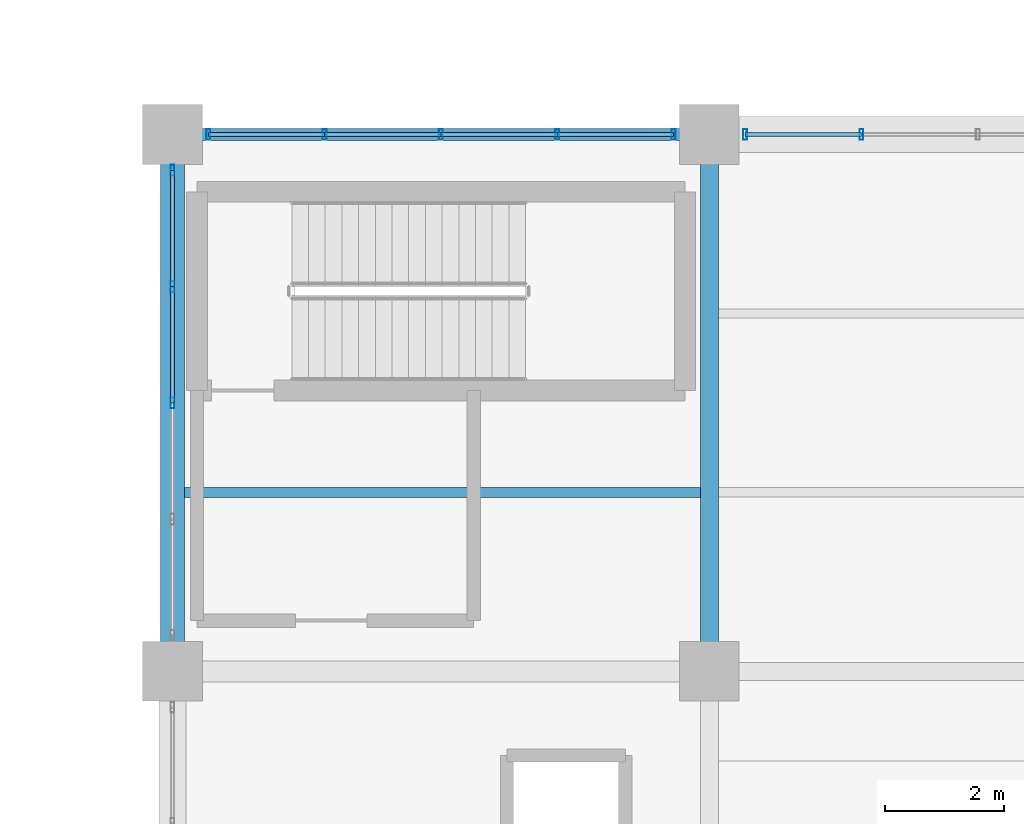
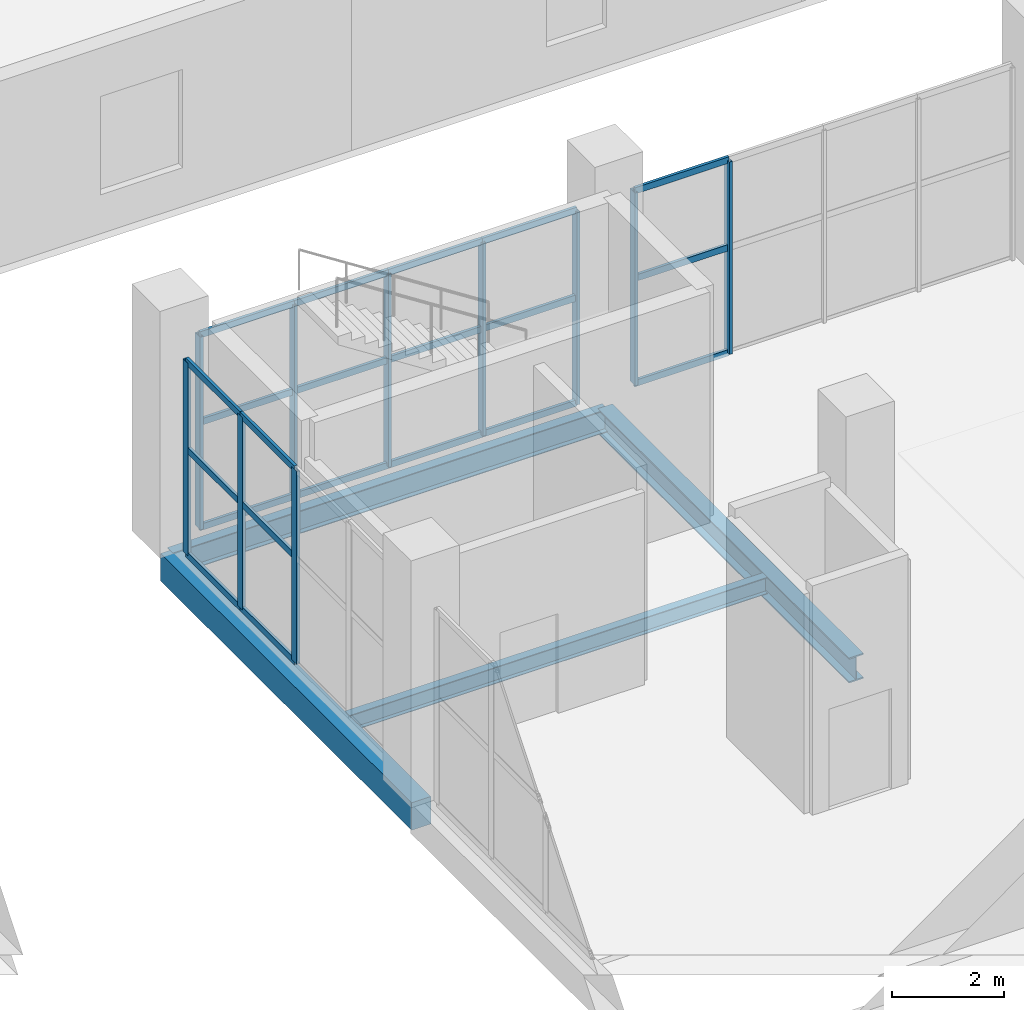
# One storey, part 51 of 147: 31 members, 4 beams, 3 elements without a shape of their own.
"""IFC4 building model written with IfcOpenShell, lengths in metres."""

from ifc_helpers import new_model, si_unit, direction, frame, origin, origin_2d, place, context, subcontext, project, spatial, rectangle, hollow_rectangle, i_section, extrude, material, layer, layer_set, material_profile, profile_set, type_object, element, aggregate, save


model = new_model("IFC4")

# Units and contexts
model_context = context("Model", 3, precision=1e-05, world=origin(), true_north=direction((0.0, 1.0)))
body_context = subcontext(model_context, "Body", "Model", "MODEL_VIEW")
ifc_project = project(units=[si_unit("LENGTHUNIT", "METRE"), si_unit("AREAUNIT", "SQUARE_METRE"), si_unit("VOLUMEUNIT", "CUBIC_METRE"), si_unit("PLANEANGLEUNIT", "RADIAN"), si_unit("MASSUNIT", "GRAM", prefix="KILO")], contexts=[model_context])

# Site, building, storey
site_placement = place(None, origin())
site = spatial("IfcSite", under=ifc_project, at=site_placement, CompositionType="ELEMENT")
building_placement = place(site_placement, origin())
building = spatial("IfcBuilding", under=site, at=building_placement, Name="Sundgate Opera House", CompositionType="ELEMENT")
storey_placement = place(building_placement, frame((0.0, 0.0, 6.0)))
storey = spatial("IfcBuildingStorey", under=building, at=storey_placement, Name="L01", CompositionType="ELEMENT", Elevation=6.0)

# Beams
ifc_material_1 = material(Name="Steel S355J2", Category="steel")
ifc_material_profile_1 = material_profile(ifc_material_1, i_section(OverallWidth=0.300048828125, OverallDepth=0.550048828125, WebThickness=0.014892578125, FlangeThickness=0.029052734375, at=origin_2d()), Name="HEB 550")
ifc_profile_set_1 = profile_set([ifc_material_profile_1], Name="Steel S355J2")
beam_type_1 = type_object("IfcBeamType", Name="BM-GR-HEB550", PredefinedType="BEAM", material=ifc_profile_set_1)
beam_1_placement = place(storey_placement, frame((45.0, 69.0, -0.574951171875), z_axis=(0.0, 1.0, 0.0), x_axis=(-1.0, 0.0, 0.0)))
element("IfcBeam", 1, at=beam_1_placement, inside=storey, type_object=beam_type_1, Name="L01 Primary N-S Girder B1119", PredefinedType="BEAM", context=body_context, shape_type="SweptSolid", body=[
    extrude(i_section(OverallWidth=0.300048828125, OverallDepth=0.550048828125, WebThickness=0.014892578125, FlangeThickness=0.029052734375, at=origin_2d()), origin(), (0.0, 0.0, 1.0), 9.0),
])
ifc_material_2 = material(Name="Steel S355J2", Category="steel")
ifc_material_profile_2 = material_profile(ifc_material_2, i_section(OverallWidth=0.199951171875, OverallDepth=0.5, WebThickness=0.01025390625, FlangeThickness=0.01611328125, at=origin_2d()), Name="IPE 500")
ifc_profile_set_2 = profile_set([ifc_material_profile_2], Name="Steel S355J2")
beam_type_2 = type_object("IfcBeamType", Name="BM-GR-IPE500", PredefinedType="BEAM", material=ifc_profile_set_2)
beam_2_placement = place(storey_placement, frame((36.0, 78.0, -0.550048828125), z_axis=(1.0, 0.0, 0.0), x_axis=(0.0, 1.0, 0.0)))
element("IfcBeam", 2, at=beam_2_placement, inside=storey, type_object=beam_type_2, Name="L01 Primary E-W Girder B1374", PredefinedType="BEAM", context=body_context, shape_type="SweptSolid", body=[
    extrude(i_section(OverallWidth=0.199951171875, OverallDepth=0.5, WebThickness=0.01025390625, FlangeThickness=0.01611328125, at=origin_2d()), origin(), (0.0, 0.0, 1.0), 9.0),
])
ifc_material_3 = material(Name="Steel S355J2", Category="steel")
ifc_material_profile_3 = material_profile(ifc_material_3, i_section(OverallWidth=0.169921875, OverallDepth=0.360107421875, WebThickness=0.008056640625, FlangeThickness=0.0126953125, at=origin_2d()), Name="IPE 360")
ifc_profile_set_3 = profile_set([ifc_material_profile_3], Name="Steel S355J2")
beam_type_3 = type_object("IfcBeamType", Name="BM-JS-IPE360", PredefinedType="JOIST", material=ifc_profile_set_3)
beam_3_placement = place(storey_placement, frame((36.199951171875, 72.0, -0.47998046875), z_axis=(1.0, 0.0, 0.0), x_axis=(0.0, 1.0, 0.0)))
element("IfcBeam", 3, at=beam_3_placement, inside=storey, type_object=beam_type_3, Name="L01 Secondary Floor Joist B1612", PredefinedType="JOIST", context=body_context, shape_type="SweptSolid", body=[
    extrude(i_section(OverallWidth=0.169921875, OverallDepth=0.360107421875, WebThickness=0.008056640625, FlangeThickness=0.0126953125, at=origin_2d()), origin(), (0.0, 0.0, 1.0), 8.650146484375),
])
ifc_material_4 = material(Name="Concrete C35/45", Category="concrete")
ifc_material_profile_4 = material_profile(ifc_material_4, rectangle(XDim=0.39990234375, YDim=0.60009765625, at=origin_2d()), Name="RC 400x600")
ifc_profile_set_4 = profile_set([ifc_material_profile_4], Name="Concrete C35/45")
beam_type_4 = type_object("IfcBeamType", Name="BM-RC-400x600", PredefinedType="BEAM", material=ifc_profile_set_4)
beam_4_placement = place(storey_placement, frame((36.0, 69.0, -0.60009765625), z_axis=(0.0, 1.0, 0.0), x_axis=(-1.0, 0.0, 0.0)))
element("IfcBeam", 4, at=beam_4_placement, inside=storey, type_object=beam_type_4, Name="L01 Primary N-S Girder B1114", PredefinedType="BEAM", context=body_context, shape_type="SweptSolid", body=[
    extrude(rectangle(XDim=0.39990234375, YDim=0.60009765625, at=origin_2d()), origin(), (0.0, 0.0, 1.0), 9.0),
])

# Curtain wall, members
ifc_material_5 = material(Name="Anodized aluminium and low-iron glass", Category="aluminium")
ifc_layer = layer(ifc_material_5, 0.179931640625)
ifc_layer_set = layer_set([ifc_layer], Name="Anodized aluminium and low-iron glass")
curtain_wall_type = type_object("IfcCurtainWallType", Name="CW-FOYER-GLASS", PredefinedType="NOTDEFINED", material=ifc_layer_set)
curtain_wall_1_placement = place(storey_placement, origin())
curtain_wall_1 = element("IfcCurtainWall", 5, at=curtain_wall_1_placement, inside=storey, type_object=curtain_wall_type, Name="L01 Curtain Wall CW015", PredefinedType="NOTDEFINED")
ifc_material_6 = material(Name="Anodized aluminium EN AW-6063", Category="aluminium")
ifc_material_profile_5 = material_profile(ifc_material_6, hollow_rectangle(XDim=0.06494140625, YDim=0.179931640625, WallThickness=0.00390625, at=origin_2d()), Name="CWM 180x65x4")
ifc_profile_set_5 = profile_set([ifc_material_profile_5], Name="Anodized aluminium EN AW-6063")
member_type_1 = type_object("IfcMemberType", Name="CWM-ALU-180x65", PredefinedType="MULLION", material=ifc_profile_set_5)
member_1_placement = place(storey_placement, frame((36.60009765625, 78.0, 0.0), z_axis=(0.0, 0.0, 1.0), x_axis=(1.0, 0.0, 0.0)))
member_1 = element("IfcMember", 6, at=member_1_placement, type_object=member_type_1, Name="CW015 Mullion 1", PredefinedType="MULLION", context=body_context, shape_type="SweptSolid", body=[
    extrude(hollow_rectangle(XDim=0.06494140625, YDim=0.179931640625, WallThickness=0.00390625, at=origin_2d()), origin(), (0.0, 0.0, 1.0), 4.215087890625),
])
member_2_placement = place(storey_placement, frame((38.550048828125, 78.0, 0.0), z_axis=(0.0, 0.0, 1.0), x_axis=(1.0, 0.0, 0.0)))
member_2 = element("IfcMember", 7, at=member_2_placement, type_object=member_type_1, Name="CW015 Mullion 2", PredefinedType="MULLION", context=body_context, shape_type="SweptSolid", body=[
    extrude(hollow_rectangle(XDim=0.06494140625, YDim=0.179931640625, WallThickness=0.00390625, at=origin_2d()), origin(), (0.0, 0.0, 1.0), 4.215087890625),
])
member_3_placement = place(storey_placement, frame((40.5, 78.0, 0.0), z_axis=(0.0, 0.0, 1.0), x_axis=(1.0, 0.0, 0.0)))
member_3 = element("IfcMember", 8, at=member_3_placement, type_object=member_type_1, Name="CW015 Mullion 3", PredefinedType="MULLION", context=body_context, shape_type="SweptSolid", body=[
    extrude(hollow_rectangle(XDim=0.06494140625, YDim=0.179931640625, WallThickness=0.00390625, at=origin_2d()), origin(), (0.0, 0.0, 1.0), 4.215087890625),
])
member_4_placement = place(storey_placement, frame((42.449951171875, 78.0, 0.0), z_axis=(0.0, 0.0, 1.0), x_axis=(1.0, 0.0, 0.0)))
member_4 = element("IfcMember", 9, at=member_4_placement, type_object=member_type_1, Name="CW015 Mullion 4", PredefinedType="MULLION", context=body_context, shape_type="SweptSolid", body=[
    extrude(hollow_rectangle(XDim=0.06494140625, YDim=0.179931640625, WallThickness=0.00390625, at=origin_2d()), origin(), (0.0, 0.0, 1.0), 4.215087890625),
])
member_5_placement = place(storey_placement, frame((44.39990234375, 78.0, 0.0), z_axis=(0.0, 0.0, 1.0), x_axis=(1.0, 0.0, 0.0)))
member_5 = element("IfcMember", 10, at=member_5_placement, type_object=member_type_1, Name="CW015 Mullion 5", PredefinedType="MULLION", context=body_context, shape_type="SweptSolid", body=[
    extrude(hollow_rectangle(XDim=0.06494140625, YDim=0.179931640625, WallThickness=0.00390625, at=origin_2d()), origin(), (0.0, 0.0, 1.0), 4.215087890625),
])

curtain_wall_2_placement = place(storey_placement, origin())
curtain_wall_2 = element("IfcCurtainWall", 11, at=curtain_wall_2_placement, inside=storey, type_object=curtain_wall_type, Name="L01 Curtain Wall CW016", PredefinedType="NOTDEFINED")
member_6_placement = place(storey_placement, frame((45.60009765625, 78.0, 0.0), z_axis=(0.0, 0.0, 1.0), x_axis=(1.0, 0.0, 0.0)))
member_6 = element("IfcMember", 12, at=member_6_placement, type_object=member_type_1, Name="CW016 Mullion 1", PredefinedType="MULLION", context=body_context, shape_type="SweptSolid", body=[
    extrude(hollow_rectangle(XDim=0.06494140625, YDim=0.179931640625, WallThickness=0.00390625, at=origin_2d()), origin(), (0.0, 0.0, 1.0), 4.215087890625),
])
member_7_placement = place(storey_placement, frame((47.550048828125, 78.0, 0.0), z_axis=(0.0, 0.0, 1.0), x_axis=(1.0, 0.0, 0.0)))
member_7 = element("IfcMember", 13, at=member_7_placement, type_object=member_type_1, Name="CW016 Mullion 2", PredefinedType="MULLION", context=body_context, shape_type="SweptSolid", body=[
    extrude(hollow_rectangle(XDim=0.06494140625, YDim=0.179931640625, WallThickness=0.00390625, at=origin_2d()), origin(), (0.0, 0.0, 1.0), 4.215087890625),
])

curtain_wall_3_placement = place(storey_placement, origin())
curtain_wall_3 = element("IfcCurtainWall", 14, at=curtain_wall_3_placement, inside=storey, type_object=curtain_wall_type, Name="L01 Curtain Wall CW022", PredefinedType="NOTDEFINED")
member_8_placement = place(storey_placement, frame((36.0, 77.39990234375, 0.0), z_axis=(0.0, 0.0, 1.0), x_axis=(1.0, 0.0, 0.0)))
member_8 = element("IfcMember", 15, at=member_8_placement, type_object=member_type_1, Name="CW022 Mullion 1", PredefinedType="MULLION", context=body_context, shape_type="SweptSolid", body=[
    extrude(hollow_rectangle(XDim=0.06494140625, YDim=0.179931640625, WallThickness=0.00390625, at=origin_2d()), origin(), (0.0, 0.0, 1.0), 4.215087890625),
])
member_9_placement = place(storey_placement, frame((36.0, 75.449951171875, 0.0), z_axis=(0.0, 0.0, 1.0), x_axis=(1.0, 0.0, 0.0)))
member_9 = element("IfcMember", 16, at=member_9_placement, type_object=member_type_1, Name="CW022 Mullion 2", PredefinedType="MULLION", context=body_context, shape_type="SweptSolid", body=[
    extrude(hollow_rectangle(XDim=0.06494140625, YDim=0.179931640625, WallThickness=0.00390625, at=origin_2d()), origin(), (0.0, 0.0, 1.0), 4.215087890625),
])
member_10_placement = place(storey_placement, frame((36.0, 73.5, 0.0), z_axis=(0.0, 0.0, 1.0), x_axis=(1.0, 0.0, 0.0)))
member_10 = element("IfcMember", 17, at=member_10_placement, type_object=member_type_1, Name="CW022 Mullion 3", PredefinedType="MULLION", context=body_context, shape_type="SweptSolid", body=[
    extrude(hollow_rectangle(XDim=0.06494140625, YDim=0.179931640625, WallThickness=0.00390625, at=origin_2d()), origin(), (0.0, 0.0, 1.0), 4.215087890625),
])

# Member
ifc_material_7 = material(Name="Anodized aluminium EN AW-6063", Category="aluminium")
ifc_material_profile_6 = material_profile(ifc_material_7, hollow_rectangle(XDim=0.06005859375, YDim=0.139892578125, WallThickness=0.00390625, at=origin_2d()), Name="CWT 140x60x4")
ifc_profile_set_6 = profile_set([ifc_material_profile_6], Name="Anodized aluminium EN AW-6063")
member_type_2 = type_object("IfcMemberType", Name="CWT-ALU-140x60", PredefinedType="USERDEFINED", material=ifc_profile_set_6)
member_11_placement = place(storey_placement, frame((36.60009765625, 78.0, 0.0), z_axis=(1.0, 0.0, 0.0), x_axis=(0.0, 1.0, 0.0)))
member_11 = element("IfcMember", 18, at=member_11_placement, type_object=member_type_2, Name="CW015 Transom 1", ObjectType="TRANSOM", PredefinedType="USERDEFINED", context=body_context, shape_type="SweptSolid", body=[
    extrude(hollow_rectangle(XDim=0.06005859375, YDim=0.139892578125, WallThickness=0.00390625, at=origin_2d()), origin(), (0.0, 0.0, 1.0), 1.949951171875),
])

member_12_placement = place(storey_placement, frame((36.60009765625, 78.0, 2.300048828125), z_axis=(1.0, 0.0, 0.0), x_axis=(0.0, 1.0, 0.0)))
member_12 = element("IfcMember", 19, at=member_12_placement, type_object=member_type_2, Name="CW015 Transom 2", ObjectType="TRANSOM", PredefinedType="USERDEFINED", context=body_context, shape_type="SweptSolid", body=[
    extrude(hollow_rectangle(XDim=0.06005859375, YDim=0.139892578125, WallThickness=0.00390625, at=origin_2d()), origin(), (0.0, 0.0, 1.0), 1.949951171875),
])

member_13_placement = place(storey_placement, frame((36.60009765625, 78.0, 4.215087890625), z_axis=(1.0, 0.0, 0.0), x_axis=(0.0, 1.0, 0.0)))
member_13 = element("IfcMember", 20, at=member_13_placement, type_object=member_type_2, Name="CW015 Transom 3", ObjectType="TRANSOM", PredefinedType="USERDEFINED", context=body_context, shape_type="SweptSolid", body=[
    extrude(hollow_rectangle(XDim=0.06005859375, YDim=0.139892578125, WallThickness=0.00390625, at=origin_2d()), origin(), (0.0, 0.0, 1.0), 1.949951171875),
])

member_14_placement = place(storey_placement, frame((38.550048828125, 78.0, 0.0), z_axis=(1.0, 0.0, 0.0), x_axis=(0.0, 1.0, 0.0)))
member_14 = element("IfcMember", 21, at=member_14_placement, type_object=member_type_2, Name="CW015 Transom 4", ObjectType="TRANSOM", PredefinedType="USERDEFINED", context=body_context, shape_type="SweptSolid", body=[
    extrude(hollow_rectangle(XDim=0.06005859375, YDim=0.139892578125, WallThickness=0.00390625, at=origin_2d()), origin(), (0.0, 0.0, 1.0), 1.949951171875),
])

member_15_placement = place(storey_placement, frame((38.550048828125, 78.0, 2.300048828125), z_axis=(1.0, 0.0, 0.0), x_axis=(0.0, 1.0, 0.0)))
member_15 = element("IfcMember", 22, at=member_15_placement, type_object=member_type_2, Name="CW015 Transom 5", ObjectType="TRANSOM", PredefinedType="USERDEFINED", context=body_context, shape_type="SweptSolid", body=[
    extrude(hollow_rectangle(XDim=0.06005859375, YDim=0.139892578125, WallThickness=0.00390625, at=origin_2d()), origin(), (0.0, 0.0, 1.0), 1.949951171875),
])

member_16_placement = place(storey_placement, frame((38.550048828125, 78.0, 4.215087890625), z_axis=(1.0, 0.0, 0.0), x_axis=(0.0, 1.0, 0.0)))
member_16 = element("IfcMember", 23, at=member_16_placement, type_object=member_type_2, Name="CW015 Transom 6", ObjectType="TRANSOM", PredefinedType="USERDEFINED", context=body_context, shape_type="SweptSolid", body=[
    extrude(hollow_rectangle(XDim=0.06005859375, YDim=0.139892578125, WallThickness=0.00390625, at=origin_2d()), origin(), (0.0, 0.0, 1.0), 1.949951171875),
])

member_17_placement = place(storey_placement, frame((40.5, 78.0, 0.0), z_axis=(1.0, 0.0, 0.0), x_axis=(0.0, 1.0, 0.0)))
member_17 = element("IfcMember", 24, at=member_17_placement, type_object=member_type_2, Name="CW015 Transom 7", ObjectType="TRANSOM", PredefinedType="USERDEFINED", context=body_context, shape_type="SweptSolid", body=[
    extrude(hollow_rectangle(XDim=0.06005859375, YDim=0.139892578125, WallThickness=0.00390625, at=origin_2d()), origin(), (0.0, 0.0, 1.0), 1.949951171875),
])

member_18_placement = place(storey_placement, frame((40.5, 78.0, 2.300048828125), z_axis=(1.0, 0.0, 0.0), x_axis=(0.0, 1.0, 0.0)))
member_18 = element("IfcMember", 25, at=member_18_placement, type_object=member_type_2, Name="CW015 Transom 8", ObjectType="TRANSOM", PredefinedType="USERDEFINED", context=body_context, shape_type="SweptSolid", body=[
    extrude(hollow_rectangle(XDim=0.06005859375, YDim=0.139892578125, WallThickness=0.00390625, at=origin_2d()), origin(), (0.0, 0.0, 1.0), 1.949951171875),
])

member_19_placement = place(storey_placement, frame((40.5, 78.0, 4.215087890625), z_axis=(1.0, 0.0, 0.0), x_axis=(0.0, 1.0, 0.0)))
member_19 = element("IfcMember", 26, at=member_19_placement, type_object=member_type_2, Name="CW015 Transom 9", ObjectType="TRANSOM", PredefinedType="USERDEFINED", context=body_context, shape_type="SweptSolid", body=[
    extrude(hollow_rectangle(XDim=0.06005859375, YDim=0.139892578125, WallThickness=0.00390625, at=origin_2d()), origin(), (0.0, 0.0, 1.0), 1.949951171875),
])

member_20_placement = place(storey_placement, frame((42.449951171875, 78.0, 0.0), z_axis=(1.0, 0.0, 0.0), x_axis=(0.0, 1.0, 0.0)))
member_20 = element("IfcMember", 27, at=member_20_placement, type_object=member_type_2, Name="CW015 Transom 10", ObjectType="TRANSOM", PredefinedType="USERDEFINED", context=body_context, shape_type="SweptSolid", body=[
    extrude(hollow_rectangle(XDim=0.06005859375, YDim=0.139892578125, WallThickness=0.00390625, at=origin_2d()), origin(), (0.0, 0.0, 1.0), 1.949951171875),
])

member_21_placement = place(storey_placement, frame((42.449951171875, 78.0, 2.300048828125), z_axis=(1.0, 0.0, 0.0), x_axis=(0.0, 1.0, 0.0)))
member_21 = element("IfcMember", 28, at=member_21_placement, type_object=member_type_2, Name="CW015 Transom 11", ObjectType="TRANSOM", PredefinedType="USERDEFINED", context=body_context, shape_type="SweptSolid", body=[
    extrude(hollow_rectangle(XDim=0.06005859375, YDim=0.139892578125, WallThickness=0.00390625, at=origin_2d()), origin(), (0.0, 0.0, 1.0), 1.949951171875),
])

member_22_placement = place(storey_placement, frame((42.449951171875, 78.0, 4.215087890625), z_axis=(1.0, 0.0, 0.0), x_axis=(0.0, 1.0, 0.0)))
member_22 = element("IfcMember", 29, at=member_22_placement, type_object=member_type_2, Name="CW015 Transom 12", ObjectType="TRANSOM", PredefinedType="USERDEFINED", context=body_context, shape_type="SweptSolid", body=[
    extrude(hollow_rectangle(XDim=0.06005859375, YDim=0.139892578125, WallThickness=0.00390625, at=origin_2d()), origin(), (0.0, 0.0, 1.0), 1.949951171875),
])

aggregate(curtain_wall_1, [member_1, member_2, member_3, member_4, member_5, member_11, member_12, member_13, member_14, member_15, member_16, member_17, member_18, member_19, member_20, member_21, member_22])

member_23_placement = place(storey_placement, frame((45.60009765625, 78.0, 0.0), z_axis=(1.0, 0.0, 0.0), x_axis=(0.0, 1.0, 0.0)))
member_23 = element("IfcMember", 30, at=member_23_placement, type_object=member_type_2, Name="CW016 Transom 1", ObjectType="TRANSOM", PredefinedType="USERDEFINED", context=body_context, shape_type="SweptSolid", body=[
    extrude(hollow_rectangle(XDim=0.06005859375, YDim=0.139892578125, WallThickness=0.00390625, at=origin_2d()), origin(), (0.0, 0.0, 1.0), 1.949951171875),
])

member_24_placement = place(storey_placement, frame((45.60009765625, 78.0, 2.300048828125), z_axis=(1.0, 0.0, 0.0), x_axis=(0.0, 1.0, 0.0)))
member_24 = element("IfcMember", 31, at=member_24_placement, type_object=member_type_2, Name="CW016 Transom 2", ObjectType="TRANSOM", PredefinedType="USERDEFINED", context=body_context, shape_type="SweptSolid", body=[
    extrude(hollow_rectangle(XDim=0.06005859375, YDim=0.139892578125, WallThickness=0.00390625, at=origin_2d()), origin(), (0.0, 0.0, 1.0), 1.949951171875),
])

member_25_placement = place(storey_placement, frame((45.60009765625, 78.0, 4.215087890625), z_axis=(1.0, 0.0, 0.0), x_axis=(0.0, 1.0, 0.0)))
member_25 = element("IfcMember", 32, at=member_25_placement, type_object=member_type_2, Name="CW016 Transom 3", ObjectType="TRANSOM", PredefinedType="USERDEFINED", context=body_context, shape_type="SweptSolid", body=[
    extrude(hollow_rectangle(XDim=0.06005859375, YDim=0.139892578125, WallThickness=0.00390625, at=origin_2d()), origin(), (0.0, 0.0, 1.0), 1.949951171875),
])

aggregate(curtain_wall_2, [member_6, member_7, member_23, member_24, member_25])

member_26_placement = place(storey_placement, frame((36.0, 77.39990234375, 0.0), z_axis=(0.0, -1.0, 0.0), x_axis=(1.0, 0.0, 0.0)))
member_26 = element("IfcMember", 33, at=member_26_placement, type_object=member_type_2, Name="CW022 Transom 1", ObjectType="TRANSOM", PredefinedType="USERDEFINED", context=body_context, shape_type="SweptSolid", body=[
    extrude(hollow_rectangle(XDim=0.06005859375, YDim=0.139892578125, WallThickness=0.00390625, at=origin_2d()), origin(), (0.0, 0.0, 1.0), 1.949951171875),
])

member_27_placement = place(storey_placement, frame((36.0, 77.39990234375, 2.300048828125), z_axis=(0.0, -1.0, 0.0), x_axis=(1.0, 0.0, 0.0)))
member_27 = element("IfcMember", 34, at=member_27_placement, type_object=member_type_2, Name="CW022 Transom 2", ObjectType="TRANSOM", PredefinedType="USERDEFINED", context=body_context, shape_type="SweptSolid", body=[
    extrude(hollow_rectangle(XDim=0.06005859375, YDim=0.139892578125, WallThickness=0.00390625, at=origin_2d()), origin(), (0.0, 0.0, 1.0), 1.949951171875),
])

member_28_placement = place(storey_placement, frame((36.0, 77.39990234375, 4.215087890625), z_axis=(0.0, -1.0, 0.0), x_axis=(1.0, 0.0, 0.0)))
member_28 = element("IfcMember", 35, at=member_28_placement, type_object=member_type_2, Name="CW022 Transom 3", ObjectType="TRANSOM", PredefinedType="USERDEFINED", context=body_context, shape_type="SweptSolid", body=[
    extrude(hollow_rectangle(XDim=0.06005859375, YDim=0.139892578125, WallThickness=0.00390625, at=origin_2d()), origin(), (0.0, 0.0, 1.0), 1.949951171875),
])

member_29_placement = place(storey_placement, frame((36.0, 75.449951171875, 0.0), z_axis=(0.0, -1.0, 0.0), x_axis=(1.0, 0.0, 0.0)))
member_29 = element("IfcMember", 36, at=member_29_placement, type_object=member_type_2, Name="CW022 Transom 4", ObjectType="TRANSOM", PredefinedType="USERDEFINED", context=body_context, shape_type="SweptSolid", body=[
    extrude(hollow_rectangle(XDim=0.06005859375, YDim=0.139892578125, WallThickness=0.00390625, at=origin_2d()), origin(), (0.0, 0.0, 1.0), 1.949951171875),
])

member_30_placement = place(storey_placement, frame((36.0, 75.449951171875, 2.300048828125), z_axis=(0.0, -1.0, 0.0), x_axis=(1.0, 0.0, 0.0)))
member_30 = element("IfcMember", 37, at=member_30_placement, type_object=member_type_2, Name="CW022 Transom 5", ObjectType="TRANSOM", PredefinedType="USERDEFINED", context=body_context, shape_type="SweptSolid", body=[
    extrude(hollow_rectangle(XDim=0.06005859375, YDim=0.139892578125, WallThickness=0.00390625, at=origin_2d()), origin(), (0.0, 0.0, 1.0), 1.949951171875),
])

member_31_placement = place(storey_placement, frame((36.0, 75.449951171875, 4.215087890625), z_axis=(0.0, -1.0, 0.0), x_axis=(1.0, 0.0, 0.0)))
member_31 = element("IfcMember", 38, at=member_31_placement, type_object=member_type_2, Name="CW022 Transom 6", ObjectType="TRANSOM", PredefinedType="USERDEFINED", context=body_context, shape_type="SweptSolid", body=[
    extrude(hollow_rectangle(XDim=0.06005859375, YDim=0.139892578125, WallThickness=0.00390625, at=origin_2d()), origin(), (0.0, 0.0, 1.0), 1.949951171875),
])

aggregate(curtain_wall_3, [member_8, member_9, member_10, member_26, member_27, member_28, member_29, member_30, member_31])

save(model, "model.ifc")
